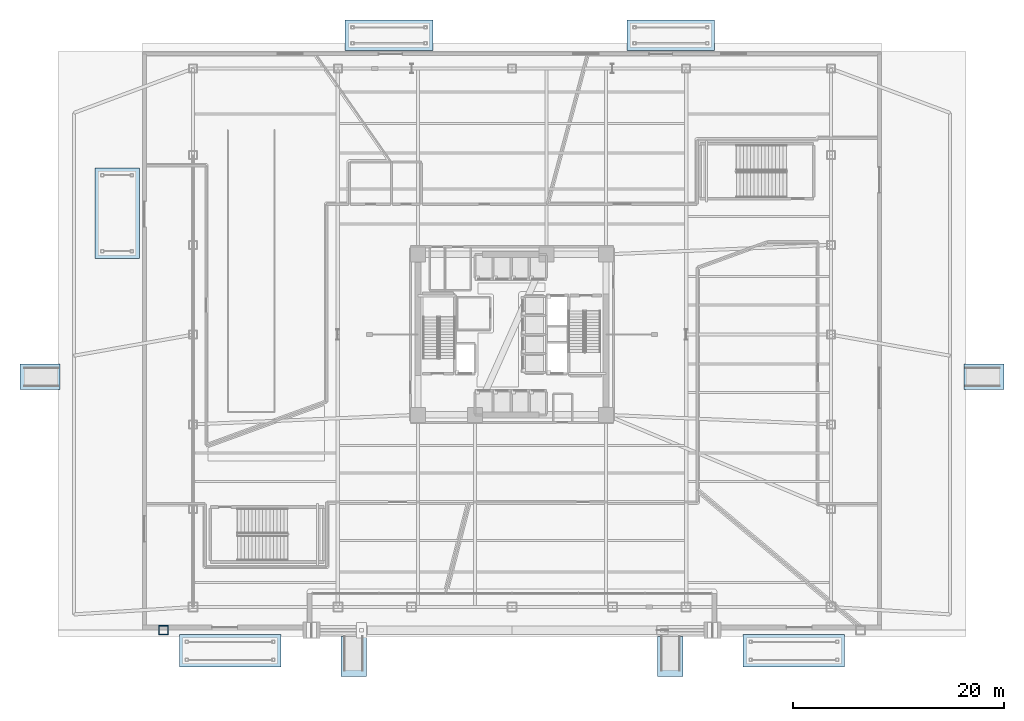
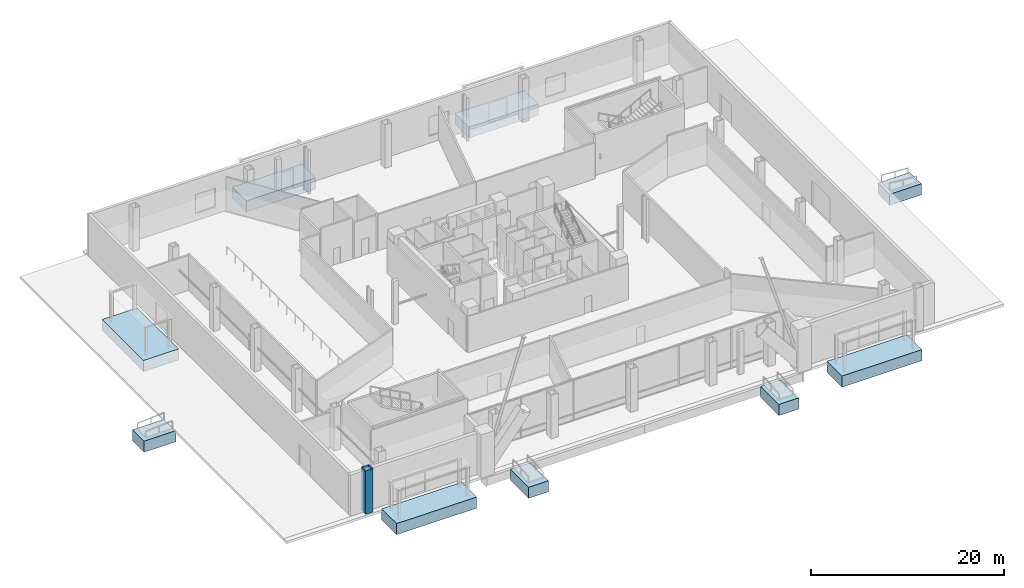
# One storey, part 1 of 27: 9 footings, 1 column.
"""IFC4 building model written with IfcOpenShell, lengths in metres."""

import ifcopenshell
import ifcopenshell.guid

model = None  # the IFC model being written
_history = None  # IfcOwnerHistory: only IFC2X3 demands one
_inside = {}  # id of a spatial element -> (the spatial element, [elements in it])
_under = {}  # id of a project, library or spatial element -> (it, [spatial elements below it])
_declared = {}  # id of a project -> (the project, [libraries it declares])
_typed = {}  # id of a type object -> (the type object, [elements of that type])
_made_of = {}  # id of a material, layer set ... -> (it, [elements and type objects made of it])


def new_model(schema):
    """Start an empty IFC model of exactly this schema.

    Asked for "IFC4X3", IfcOpenShell would pick the latest addendum, in which some entities
    have other attributes; the version numbers below select the first issue.
    IFC2X3 requires an IfcOwnerHistory on every rooted entity: one is made here for all.
    """
    global model, _history
    if schema == "IFC4X3":
        model = ifcopenshell.file(schema_version=(4, 3, 0, 0))
    else:
        model = ifcopenshell.file(schema=schema)
    _inside.clear()
    _under.clear()
    _declared.clear()
    _typed.clear()
    _made_of.clear()
    _history = None
    if model.schema == "IFC2X3":
        org = make("IfcOrganization", Name="unknown")
        user = make(
            "IfcPersonAndOrganization",
            ThePerson=make("IfcPerson", FamilyName="unknown"),
            TheOrganization=org,
        )
        app = make(
            "IfcApplication",
            ApplicationDeveloper=org,
            Version="unknown",
            ApplicationFullName="unknown",
            ApplicationIdentifier="unknown",
        )
        _history = make(
            "IfcOwnerHistory",
            OwningUser=user,
            OwningApplication=app,
            ChangeAction="ADDED",
            CreationDate=0,
        )
    return model


def make(cls, **values):
    """One entity of the class cls with the attributes given. An attribute that is None is left unset."""
    return model.create_entity(
        cls, **{name: value for name, value in values.items() if value is not None}
    )


def rooted(cls, **values):
    """An entity with a GlobalId (a new one), such as an element, a storey or a relation."""
    return make(cls, GlobalId=ifcopenshell.guid.new(), OwnerHistory=_history, **values)


def si_unit(unit_type, name, prefix=None):
    """IfcSIUnit, for example si_unit("LENGTHUNIT", "METRE", prefix="MILLI")."""
    return make("IfcSIUnit", UnitType=unit_type, Prefix=prefix, Name=name)


def assignment(units):
    """IfcUnitAssignment: the units of a project."""
    return None if units is None else make("IfcUnitAssignment", Units=units)


def point(xyz):
    """IfcCartesianPoint."""
    return None if xyz is None else make("IfcCartesianPoint", Coordinates=xyz)


def direction(xyz):
    """IfcDirection."""
    return None if xyz is None else make("IfcDirection", DirectionRatios=xyz)


def frame(location, z_axis=None, x_axis=None):
    """IfcAxis2Placement3D, a coordinate frame: its origin and axes. An axis left out is left unset."""
    return make(
        "IfcAxis2Placement3D",
        Location=point(location),
        Axis=direction(z_axis),
        RefDirection=direction(x_axis),
    )


def frame_2d(location, x_axis=None):
    """IfcAxis2Placement2D, a coordinate frame in the plane: its origin and x axis."""
    return make(
        "IfcAxis2Placement2D", Location=point(location), RefDirection=direction(x_axis)
    )


def origin():
    """The frame at (0, 0, 0) with its axes left unset."""
    return frame((0.0, 0.0, 0.0))


def origin_2d():
    """The frame at (0, 0) in the plane with its x axis left unset."""
    return frame_2d((0.0, 0.0))


def place(relative_to, where):
    """IfcLocalPlacement: puts the frame where relative to a parent placement (None: the world)."""
    return make(
        "IfcLocalPlacement", PlacementRelTo=relative_to, RelativePlacement=where
    )


def context(
    kind, dimensions, precision=None, world=None, true_north=None, identifier=None
):
    """IfcGeometricRepresentationContext, for example the 3D "Model" context."""
    return make(
        "IfcGeometricRepresentationContext",
        ContextIdentifier=identifier,
        ContextType=kind,
        CoordinateSpaceDimension=dimensions,
        Precision=precision,
        WorldCoordinateSystem=world,
        TrueNorth=true_north,
    )


def subcontext(parent, identifier, kind, view, scale=None):
    """IfcGeometricRepresentationSubContext, for example "Body" below "Model"."""
    return make(
        "IfcGeometricRepresentationSubContext",
        ContextIdentifier=identifier,
        ContextType=kind,
        ParentContext=parent,
        TargetScale=scale,
        TargetView=view,
    )


def project(units=None, contexts=None):
    """IfcProject with its units and contexts."""
    return rooted(
        "IfcProject",
        Name="project",
        RepresentationContexts=contexts,
        UnitsInContext=assignment(units),
    )


def spatial(cls, under=None, at=None, **own):
    """A site, building, storey or space (cls), placed at a placement, below another one or the project."""
    s = rooted(cls, ObjectPlacement=at, **own)
    if under is not None:
        _under.setdefault(under.id(), (under, []))[1].append(s)
    return s


def polyline(points):
    """IfcPolyline through the points."""
    return make("IfcPolyline", Points=[point(p) for p in points])


def profile(cls, at=None, kind="AREA", **sizes):
    """A parametric profile (cls). Its sizes go by their IFC names, for example OverallWidth=200.0."""
    return make(cls, ProfileType=kind, Position=at, **sizes)


def hollow_rectangle(**sizes):
    """IfcRectangleHollowProfileDef."""
    return profile("IfcRectangleHollowProfileDef", **sizes)


def outline(outer, holes=None, kind="AREA"):
    """IfcArbitraryClosedProfileDef: a profile drawn as a closed curve; with holes, ...WithVoids."""
    if holes is None:
        return make("IfcArbitraryClosedProfileDef", ProfileType=kind, OuterCurve=outer)
    return make(
        "IfcArbitraryProfileDefWithVoids",
        ProfileType=kind,
        OuterCurve=outer,
        InnerCurves=holes,
    )


def extrude(swept, where, along, depth):
    """IfcExtrudedAreaSolid: the profile swept, set in the frame where, extruded along a direction by depth."""
    return make(
        "IfcExtrudedAreaSolid",
        SweptArea=swept,
        Position=where,
        ExtrudedDirection=direction(along),
        Depth=depth,
    )


def shape(context_of_items, identifier, shape_type, items):
    """IfcShapeRepresentation: the items that make up one representation, for example the "Body"."""
    return make(
        "IfcShapeRepresentation",
        ContextOfItems=context_of_items,
        RepresentationIdentifier=identifier,
        RepresentationType=shape_type,
        Items=items,
    )


def material(Name=None, Category=None):
    """IfcMaterial."""
    return make("IfcMaterial", Name=Name, Category=Category)


def layer(
    of_material, thickness, ventilated=None, Name=None, Category=None, Priority=None
):
    """IfcMaterialLayer: one layer of a wall or slab, of a material (None: an air gap)."""
    return make(
        "IfcMaterialLayer",
        Material=of_material,
        LayerThickness=thickness,
        IsVentilated=ventilated,
        Name=Name,
        Category=Category,
        Priority=Priority,
    )


def layer_set(layers, Name=None):
    """IfcMaterialLayerSet."""
    return make("IfcMaterialLayerSet", MaterialLayers=layers, LayerSetName=Name)


def material_profile(
    of_material, cross_section, Name=None, Category=None, Priority=None
):
    """IfcMaterialProfile: a cross section and its material."""
    return make(
        "IfcMaterialProfile",
        Name=Name,
        Material=of_material,
        Profile=cross_section,
        Priority=Priority,
        Category=Category,
    )


def profile_set(profiles, Name=None, composite=None):
    """IfcMaterialProfileSet."""
    return make(
        "IfcMaterialProfileSet",
        Name=Name,
        MaterialProfiles=profiles,
        CompositeProfile=composite,
    )


def made_of(thing, what):
    """Note that an element or type object is made of a material, layer set ...; save() writes the relation."""
    if what is not None:
        _made_of.setdefault(what.id(), (what, []))[1].append(thing)
    return thing


def type_object(cls, material=None, **own):
    """A type object (cls), such as IfcWallType, which elements share."""
    return made_of(rooted(cls, **own), material)


def element(
    cls,
    number,
    at=None,
    inside=None,
    cuts=None,
    type_object=None,
    material=None,
    context=None,
    identifier="Body",
    shape_type=None,
    held_by="IfcProductDefinitionShape",
    body=None,
    shapes=None,
    **own,
):
    """One element of the class cls, such as IfcWall. Its Tag is "e" and its number.

    at: its placement. inside: the storey or other place that contains it. cuts: it is an
    opening in that element (IfcRelVoidsElement). A single representation is given by context,
    identifier, shape_type and body (its items); several are given by shapes. held_by: the class
    of the entity that holds the representations. save() writes the other relations.
    """
    e = rooted(cls, Tag="e%d" % number, ObjectPlacement=at, **own)
    if body is not None:
        shapes = [shape(context, identifier, shape_type, body)]
    if shapes is not None:
        e.Representation = make(held_by, Representations=shapes)
    if inside is not None:
        _inside.setdefault(inside.id(), (inside, []))[1].append(e)
    if cuts is not None:
        rooted(
            "IfcRelVoidsElement", RelatingBuildingElement=cuts, RelatedOpeningElement=e
        )
    if type_object is not None:
        _typed.setdefault(type_object.id(), (type_object, []))[1].append(e)
    return made_of(e, material)


def aggregate(whole, parts):
    """IfcRelAggregates: a whole, such as a stair, and the parts it consists of."""
    return rooted("IfcRelAggregates", RelatingObject=whole, RelatedObjects=parts)


def save(model, path):
    """Write the relations noted so far, then the file.

    IfcRelAggregates (storeys below a building ...), IfcRelContainedInSpatialStructure (elements
    in a storey), IfcRelDefinesByType, IfcRelAssociatesMaterial and IfcRelDeclares: one each for
    every whole, place, type object, material and project.
    """
    for whole, parts in _under.values():
        aggregate(whole, parts)
    for where, things in _inside.values():
        rooted(
            "IfcRelContainedInSpatialStructure",
            RelatedElements=things,
            RelatingStructure=where,
        )
    for kind, things in _typed.values():
        rooted("IfcRelDefinesByType", RelatedObjects=things, RelatingType=kind)
    for what, things in _made_of.values():
        rooted("IfcRelAssociatesMaterial", RelatedObjects=things, RelatingMaterial=what)
    for by, libraries in _declared.values():
        rooted("IfcRelDeclares", RelatingContext=by, RelatedDefinitions=libraries)
    model.write(path)


model = new_model("IFC4")

# Units and contexts
model_context = context("Model", 3, precision=1e-05, world=origin(), true_north=direction((0.0, 1.0)))
body_context = subcontext(model_context, "Body", "Model", "MODEL_VIEW")
ifc_project = project(units=[si_unit("LENGTHUNIT", "METRE"), si_unit("AREAUNIT", "SQUARE_METRE"), si_unit("VOLUMEUNIT", "CUBIC_METRE"), si_unit("PLANEANGLEUNIT", "RADIAN"), si_unit("MASSUNIT", "GRAM", prefix="KILO")], contexts=[model_context])

# Site, building, storey
site_placement = place(None, origin())
site = spatial("IfcSite", under=ifc_project, at=site_placement, CompositionType="ELEMENT")
building_placement = place(site_placement, origin())
building = spatial("IfcBuilding", under=site, at=building_placement, Name="Tharavind Bronze Gate", CompositionType="ELEMENT")
storey_placement = place(building_placement, origin())
storey = spatial("IfcBuildingStorey", under=building, at=storey_placement, Name="L00", CompositionType="ELEMENT", Elevation=0.0)

# Footings
ifc_material_1 = material(Name="Concrete C50/60", Category="concrete")
ifc_layer_1 = layer(ifc_material_1, 1.39990234375)
ifc_layer_set_1 = layer_set([ifc_layer_1], Name="Concrete C50/60")
footing_type_1 = type_object("IfcFootingType", Name="PAD FOOTING CANOPY 4200X8600X1400", PredefinedType="PAD_FOOTING", material=ifc_layer_set_1)
footing_1_placement = place(storey_placement, frame((0.0, 0.0, -1.39990234375)))
element("IfcFooting", 1, at=footing_1_placement, inside=storey, type_object=footing_type_1, Name="L00 combined canopy foundation pad CN5", PredefinedType="PAD_FOOTING", context=body_context, shape_type="SweptSolid", body=[
    extrude(outline(polyline([(-39.5, 7.199951171875), (-35.300048828125, 7.199951171875), (-35.300048828125, 15.800048828125), (-39.5, 15.800048828125), (-39.5, 7.199951171875)])), origin(), (0.0, 0.0, 1.0), 1.39990234375),
])
ifc_layer_2 = layer(ifc_material_1, 1.39990234375)
ifc_layer_set_2 = layer_set([ifc_layer_2], Name="Concrete C50/60")
footing_type_2 = type_object("IfcFootingType", Name="PAD FOOTING CANOPY 8300X2900X1400", PredefinedType="PAD_FOOTING", material=ifc_layer_set_2)
footing_2_placement = place(storey_placement, frame((0.0, 0.0, -1.39990234375)))
element("IfcFooting", 2, at=footing_2_placement, inside=storey, type_object=footing_type_2, Name="L00 combined canopy foundation pad CN3", PredefinedType="PAD_FOOTING", context=body_context, shape_type="SweptSolid", body=[
    extrude(outline(polyline([(-15.800048828125, 26.89990234375), (-7.5, 26.89990234375), (-7.5, 29.800048828125), (-15.800048828125, 29.800048828125), (-15.800048828125, 26.89990234375)])), origin(), (0.0, 0.0, 1.0), 1.39990234375),
])
footing_3_placement = place(storey_placement, frame((0.0, 0.0, -1.39990234375)))
element("IfcFooting", 3, at=footing_3_placement, inside=storey, type_object=footing_type_2, Name="L00 combined canopy foundation pad CN4", PredefinedType="PAD_FOOTING", context=body_context, shape_type="SweptSolid", body=[
    extrude(outline(polyline([(10.89990234375, 26.89990234375), (19.199951171875, 26.89990234375), (19.199951171875, 29.800048828125), (10.89990234375, 29.800048828125), (10.89990234375, 26.89990234375)])), origin(), (0.0, 0.0, 1.0), 1.39990234375),
])
ifc_layer_3 = layer(ifc_material_1, 1.39990234375)
ifc_layer_set_3 = layer_set([ifc_layer_3], Name="Concrete C50/60")
footing_type_3 = type_object("IfcFootingType", Name="PAD FOOTING CANOPY 9600X3100X1400", PredefinedType="PAD_FOOTING", material=ifc_layer_set_3)
footing_4_placement = place(storey_placement, frame((0.0, 0.0, -1.39990234375)))
element("IfcFooting", 4, at=footing_4_placement, inside=storey, type_object=footing_type_3, Name="L00 combined canopy foundation pad CN1", PredefinedType="PAD_FOOTING", context=body_context, shape_type="SweptSolid", body=[
    extrude(outline(polyline([(-31.5, -31.5), (-21.89990234375, -31.5), (-21.89990234375, -28.39990234375), (-31.5, -28.39990234375), (-31.5, -31.5)])), origin(), (0.0, 0.0, 1.0), 1.39990234375),
])
footing_5_placement = place(storey_placement, frame((0.0, 0.0, -1.39990234375)))
element("IfcFooting", 5, at=footing_5_placement, inside=storey, type_object=footing_type_3, Name="L00 combined canopy foundation pad CN2", PredefinedType="PAD_FOOTING", context=body_context, shape_type="SweptSolid", body=[
    extrude(outline(polyline([(21.89990234375, -31.5), (31.5, -31.5), (31.5, -28.39990234375), (21.89990234375, -28.39990234375), (21.89990234375, -31.5)])), origin(), (0.0, 0.0, 1.0), 1.39990234375),
])
ifc_layer_4 = layer(ifc_material_1, 1.39990234375)
ifc_layer_set_4 = layer_set([ifc_layer_4], Name="Concrete C50/60")
footing_type_4 = type_object("IfcFootingType", Name="PAD FOOTING RAMP 2400X3800X1400", PredefinedType="PAD_FOOTING", material=ifc_layer_set_4)
footing_6_placement = place(storey_placement, frame((0.0, 0.0, -1.6201171875)))
element("IfcFooting", 6, at=footing_6_placement, inside=storey, type_object=footing_type_4, Name="Accessible ramp grade footing AR1", PredefinedType="PAD_FOOTING", context=body_context, shape_type="SweptSolid", body=[
    extrude(outline(polyline([(-16.199951171875, -32.39990234375), (-13.800048828125, -32.39990234375), (-13.800048828125, -28.60009765625), (-16.199951171875, -28.60009765625), (-16.199951171875, -32.39990234375)])), origin(), (0.0, 0.0, 1.0), 1.400146484375),
])
footing_7_placement = place(storey_placement, frame((0.0, 0.0, -1.6201171875)))
element("IfcFooting", 7, at=footing_7_placement, inside=storey, type_object=footing_type_4, Name="Accessible ramp grade footing AR2", PredefinedType="PAD_FOOTING", context=body_context, shape_type="SweptSolid", body=[
    extrude(outline(polyline([(13.800048828125, -32.39990234375), (16.199951171875, -32.39990234375), (16.199951171875, -28.60009765625), (13.800048828125, -28.60009765625), (13.800048828125, -32.39990234375)])), origin(), (0.0, 0.0, 1.0), 1.400146484375),
])
ifc_layer_5 = layer(ifc_material_1, 1.39990234375)
ifc_layer_set_5 = layer_set([ifc_layer_5], Name="Concrete C50/60")
footing_type_5 = type_object("IfcFootingType", Name="PAD FOOTING RAMP 3800X2400X1400", PredefinedType="PAD_FOOTING", material=ifc_layer_set_5)
footing_8_placement = place(storey_placement, frame((0.0, 0.0, -1.6201171875)))
element("IfcFooting", 8, at=footing_8_placement, inside=storey, type_object=footing_type_5, Name="Accessible ramp grade footing AR3", PredefinedType="PAD_FOOTING", context=body_context, shape_type="SweptSolid", body=[
    extrude(outline(polyline([(-46.60009765625, -5.199951171875), (-42.800048828125, -5.199951171875), (-42.800048828125, -2.800048828125), (-46.60009765625, -2.800048828125), (-46.60009765625, -5.199951171875)])), origin(), (0.0, 0.0, 1.0), 1.400146484375),
])
footing_9_placement = place(storey_placement, frame((0.0, 0.0, -1.6201171875)))
element("IfcFooting", 9, at=footing_9_placement, inside=storey, type_object=footing_type_5, Name="Accessible ramp grade footing AR4", PredefinedType="PAD_FOOTING", context=body_context, shape_type="SweptSolid", body=[
    extrude(outline(polyline([(42.800048828125, -5.199951171875), (46.60009765625, -5.199951171875), (46.60009765625, -2.800048828125), (42.800048828125, -2.800048828125), (42.800048828125, -5.199951171875)])), origin(), (0.0, 0.0, 1.0), 1.400146484375),
])

# Column
ifc_material_2 = material(Name="Steel S460", Category="steel")
ifc_material_profile = material_profile(ifc_material_2, hollow_rectangle(XDim=0.89990234375, YDim=0.89990234375, WallThickness=0.050048828125, at=origin_2d()), Name="SHS900X50")
ifc_profile_set = profile_set([ifc_material_profile], Name="Steel S460")
column_type = type_object("IfcColumnType", Name="PERIMETER BOX COLUMN SHS900", PredefinedType="COLUMN", material=ifc_profile_set)
column_placement = place(storey_placement, frame((-33.0, -28.0, 0.0), z_axis=(0.0, 0.0, 1.0), x_axis=(1.0, 0.0, 0.0)))
element("IfcColumn", 10, at=column_placement, inside=storey, type_object=column_type, Name="L00 podium column CRNS1", PredefinedType="COLUMN", context=body_context, shape_type="SweptSolid", body=[
    extrude(hollow_rectangle(XDim=0.89990234375, YDim=0.89990234375, WallThickness=0.050048828125, at=origin_2d()), origin(), (0.0, 0.0, 1.0), 5.5),
])

save(model, "model.ifc")
